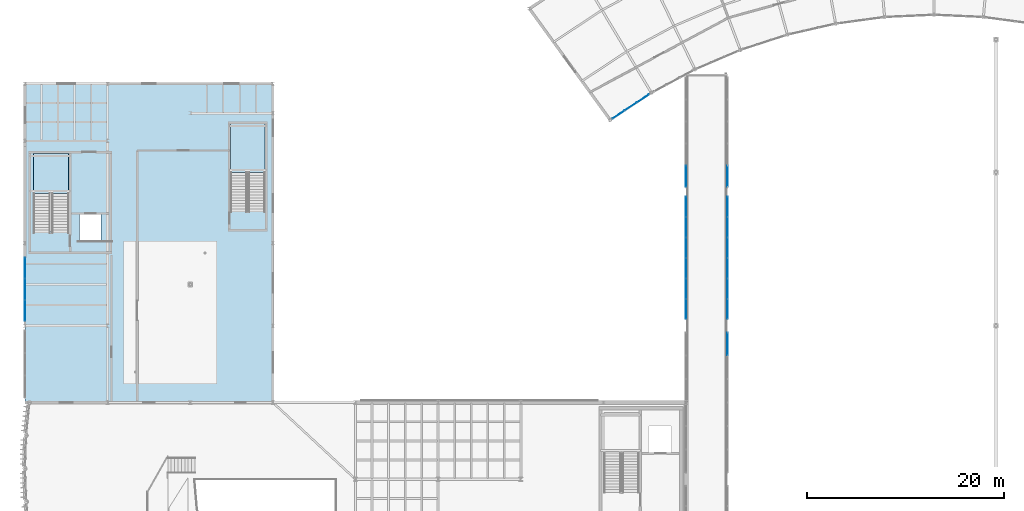
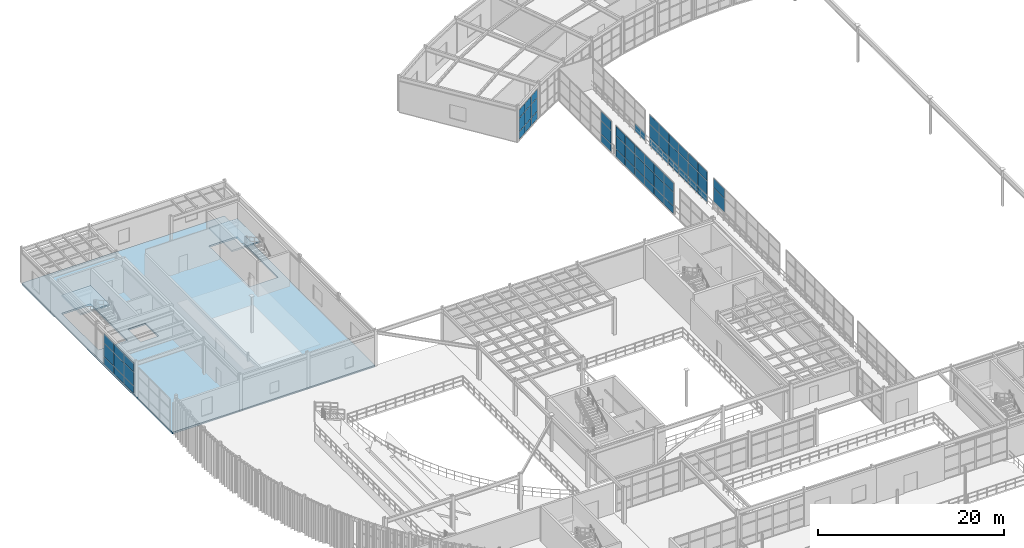
# One storey, part 87 of 116: 60 plates, 3 slabs, 9 elements without a shape of their own.
"""IFC4 building model written with IfcOpenShell, lengths in metres."""

import ifcopenshell
import ifcopenshell.guid

model = None  # the IFC model being written
_history = None  # IfcOwnerHistory: only IFC2X3 demands one
_inside = {}  # id of a spatial element -> (the spatial element, [elements in it])
_under = {}  # id of a project, library or spatial element -> (it, [spatial elements below it])
_declared = {}  # id of a project -> (the project, [libraries it declares])
_typed = {}  # id of a type object -> (the type object, [elements of that type])
_made_of = {}  # id of a material, layer set ... -> (it, [elements and type objects made of it])


def new_model(schema):
    """Start an empty IFC model of exactly this schema.

    Asked for "IFC4X3", IfcOpenShell would pick the latest addendum, in which some entities
    have other attributes; the version numbers below select the first issue.
    IFC2X3 requires an IfcOwnerHistory on every rooted entity: one is made here for all.
    """
    global model, _history
    if schema == "IFC4X3":
        model = ifcopenshell.file(schema_version=(4, 3, 0, 0))
    else:
        model = ifcopenshell.file(schema=schema)
    _inside.clear()
    _under.clear()
    _declared.clear()
    _typed.clear()
    _made_of.clear()
    _history = None
    if model.schema == "IFC2X3":
        org = make("IfcOrganization", Name="unknown")
        user = make(
            "IfcPersonAndOrganization",
            ThePerson=make("IfcPerson", FamilyName="unknown"),
            TheOrganization=org,
        )
        app = make(
            "IfcApplication",
            ApplicationDeveloper=org,
            Version="unknown",
            ApplicationFullName="unknown",
            ApplicationIdentifier="unknown",
        )
        _history = make(
            "IfcOwnerHistory",
            OwningUser=user,
            OwningApplication=app,
            ChangeAction="ADDED",
            CreationDate=0,
        )
    return model


def make(cls, **values):
    """One entity of the class cls with the attributes given. An attribute that is None is left unset."""
    return model.create_entity(
        cls, **{name: value for name, value in values.items() if value is not None}
    )


def rooted(cls, **values):
    """An entity with a GlobalId (a new one), such as an element, a storey or a relation."""
    return make(cls, GlobalId=ifcopenshell.guid.new(), OwnerHistory=_history, **values)


def si_unit(unit_type, name, prefix=None):
    """IfcSIUnit, for example si_unit("LENGTHUNIT", "METRE", prefix="MILLI")."""
    return make("IfcSIUnit", UnitType=unit_type, Prefix=prefix, Name=name)


def assignment(units):
    """IfcUnitAssignment: the units of a project."""
    return None if units is None else make("IfcUnitAssignment", Units=units)


def point(xyz):
    """IfcCartesianPoint."""
    return None if xyz is None else make("IfcCartesianPoint", Coordinates=xyz)


def direction(xyz):
    """IfcDirection."""
    return None if xyz is None else make("IfcDirection", DirectionRatios=xyz)


def frame(location, z_axis=None, x_axis=None):
    """IfcAxis2Placement3D, a coordinate frame: its origin and axes. An axis left out is left unset."""
    return make(
        "IfcAxis2Placement3D",
        Location=point(location),
        Axis=direction(z_axis),
        RefDirection=direction(x_axis),
    )


def frame_2d(location, x_axis=None):
    """IfcAxis2Placement2D, a coordinate frame in the plane: its origin and x axis."""
    return make(
        "IfcAxis2Placement2D", Location=point(location), RefDirection=direction(x_axis)
    )


def origin():
    """The frame at (0, 0, 0) with its axes left unset."""
    return frame((0.0, 0.0, 0.0))


def origin_2d():
    """The frame at (0, 0) in the plane with its x axis left unset."""
    return frame_2d((0.0, 0.0))


def place(relative_to, where):
    """IfcLocalPlacement: puts the frame where relative to a parent placement (None: the world)."""
    return make(
        "IfcLocalPlacement", PlacementRelTo=relative_to, RelativePlacement=where
    )


def context(
    kind, dimensions, precision=None, world=None, true_north=None, identifier=None
):
    """IfcGeometricRepresentationContext, for example the 3D "Model" context."""
    return make(
        "IfcGeometricRepresentationContext",
        ContextIdentifier=identifier,
        ContextType=kind,
        CoordinateSpaceDimension=dimensions,
        Precision=precision,
        WorldCoordinateSystem=world,
        TrueNorth=true_north,
    )


def subcontext(parent, identifier, kind, view, scale=None):
    """IfcGeometricRepresentationSubContext, for example "Body" below "Model"."""
    return make(
        "IfcGeometricRepresentationSubContext",
        ContextIdentifier=identifier,
        ContextType=kind,
        ParentContext=parent,
        TargetScale=scale,
        TargetView=view,
    )


def project(units=None, contexts=None):
    """IfcProject with its units and contexts."""
    return rooted(
        "IfcProject",
        Name="project",
        RepresentationContexts=contexts,
        UnitsInContext=assignment(units),
    )


def spatial(cls, under=None, at=None, **own):
    """A site, building, storey or space (cls), placed at a placement, below another one or the project."""
    s = rooted(cls, ObjectPlacement=at, **own)
    if under is not None:
        _under.setdefault(under.id(), (under, []))[1].append(s)
    return s


def polyline(points):
    """IfcPolyline through the points."""
    return make("IfcPolyline", Points=[point(p) for p in points])


def profile(cls, at=None, kind="AREA", **sizes):
    """A parametric profile (cls). Its sizes go by their IFC names, for example OverallWidth=200.0."""
    return make(cls, ProfileType=kind, Position=at, **sizes)


def rectangle(**sizes):
    """IfcRectangleProfileDef."""
    return profile("IfcRectangleProfileDef", **sizes)


def outline(outer, holes=None, kind="AREA"):
    """IfcArbitraryClosedProfileDef: a profile drawn as a closed curve; with holes, ...WithVoids."""
    if holes is None:
        return make("IfcArbitraryClosedProfileDef", ProfileType=kind, OuterCurve=outer)
    return make(
        "IfcArbitraryProfileDefWithVoids",
        ProfileType=kind,
        OuterCurve=outer,
        InnerCurves=holes,
    )


def extrude(swept, where, along, depth):
    """IfcExtrudedAreaSolid: the profile swept, set in the frame where, extruded along a direction by depth."""
    return make(
        "IfcExtrudedAreaSolid",
        SweptArea=swept,
        Position=where,
        ExtrudedDirection=direction(along),
        Depth=depth,
    )


def shape(context_of_items, identifier, shape_type, items):
    """IfcShapeRepresentation: the items that make up one representation, for example the "Body"."""
    return make(
        "IfcShapeRepresentation",
        ContextOfItems=context_of_items,
        RepresentationIdentifier=identifier,
        RepresentationType=shape_type,
        Items=items,
    )


def material(Name=None, Category=None):
    """IfcMaterial."""
    return make("IfcMaterial", Name=Name, Category=Category)


def layer(
    of_material, thickness, ventilated=None, Name=None, Category=None, Priority=None
):
    """IfcMaterialLayer: one layer of a wall or slab, of a material (None: an air gap)."""
    return make(
        "IfcMaterialLayer",
        Material=of_material,
        LayerThickness=thickness,
        IsVentilated=ventilated,
        Name=Name,
        Category=Category,
        Priority=Priority,
    )


def layer_set(layers, Name=None):
    """IfcMaterialLayerSet."""
    return make("IfcMaterialLayerSet", MaterialLayers=layers, LayerSetName=Name)


def made_of(thing, what):
    """Note that an element or type object is made of a material, layer set ...; save() writes the relation."""
    if what is not None:
        _made_of.setdefault(what.id(), (what, []))[1].append(thing)
    return thing


def type_object(cls, material=None, **own):
    """A type object (cls), such as IfcWallType, which elements share."""
    return made_of(rooted(cls, **own), material)


def element(
    cls,
    number,
    at=None,
    inside=None,
    cuts=None,
    type_object=None,
    material=None,
    context=None,
    identifier="Body",
    shape_type=None,
    held_by="IfcProductDefinitionShape",
    body=None,
    shapes=None,
    **own,
):
    """One element of the class cls, such as IfcWall. Its Tag is "e" and its number.

    at: its placement. inside: the storey or other place that contains it. cuts: it is an
    opening in that element (IfcRelVoidsElement). A single representation is given by context,
    identifier, shape_type and body (its items); several are given by shapes. held_by: the class
    of the entity that holds the representations. save() writes the other relations.
    """
    e = rooted(cls, Tag="e%d" % number, ObjectPlacement=at, **own)
    if body is not None:
        shapes = [shape(context, identifier, shape_type, body)]
    if shapes is not None:
        e.Representation = make(held_by, Representations=shapes)
    if inside is not None:
        _inside.setdefault(inside.id(), (inside, []))[1].append(e)
    if cuts is not None:
        rooted(
            "IfcRelVoidsElement", RelatingBuildingElement=cuts, RelatedOpeningElement=e
        )
    if type_object is not None:
        _typed.setdefault(type_object.id(), (type_object, []))[1].append(e)
    return made_of(e, material)


def aggregate(whole, parts):
    """IfcRelAggregates: a whole, such as a stair, and the parts it consists of."""
    return rooted("IfcRelAggregates", RelatingObject=whole, RelatedObjects=parts)


def save(model, path):
    """Write the relations noted so far, then the file.

    IfcRelAggregates (storeys below a building ...), IfcRelContainedInSpatialStructure (elements
    in a storey), IfcRelDefinesByType, IfcRelAssociatesMaterial and IfcRelDeclares: one each for
    every whole, place, type object, material and project.
    """
    for whole, parts in _under.values():
        aggregate(whole, parts)
    for where, things in _inside.values():
        rooted(
            "IfcRelContainedInSpatialStructure",
            RelatedElements=things,
            RelatingStructure=where,
        )
    for kind, things in _typed.values():
        rooted("IfcRelDefinesByType", RelatedObjects=things, RelatingType=kind)
    for what, things in _made_of.values():
        rooted("IfcRelAssociatesMaterial", RelatedObjects=things, RelatingMaterial=what)
    for by, libraries in _declared.values():
        rooted("IfcRelDeclares", RelatingContext=by, RelatedDefinitions=libraries)
    model.write(path)


model = new_model("IFC4")

# Units and contexts
model_context = context("Model", 3, precision=1e-05, world=origin(), true_north=direction((0.0, 1.0)))
body_context = subcontext(model_context, "Body", "Model", "MODEL_VIEW")
ifc_project = project(units=[si_unit("LENGTHUNIT", "METRE"), si_unit("AREAUNIT", "SQUARE_METRE"), si_unit("VOLUMEUNIT", "CUBIC_METRE"), si_unit("PLANEANGLEUNIT", "RADIAN"), si_unit("MASSUNIT", "GRAM", prefix="KILO")], contexts=[model_context])

# Site, building, storey
site_placement = place(None, origin())
site = spatial("IfcSite", under=ifc_project, at=site_placement, CompositionType="ELEMENT")
building_placement = place(site_placement, origin())
building = spatial("IfcBuilding", under=site, at=building_placement, Name="Selat Folded Stagehouse", CompositionType="ELEMENT")
storey_placement = place(building_placement, frame((0.0, 0.0, 5.39990234375)))
storey = spatial("IfcBuildingStorey", under=building, at=storey_placement, Name="L01", CompositionType="ELEMENT", Elevation=5.39990234375)

# Curtain wall, plates
ifc_material_1 = material(Name="Aluminium 6063-T6", Category="aluminium")
ifc_layer_1 = layer(ifc_material_1, 0.175048828125)
ifc_layer_set_1 = layer_set([ifc_layer_1], Name="Aluminium 6063-T6")
curtain_wall_type_1 = type_object("IfcCurtainWallType", Name="CW-BRG-GLAZ", PredefinedType="NOTDEFINED", material=ifc_layer_set_1)
curtain_wall_1_placement = place(storey_placement, origin())
curtain_wall_1 = element("IfcCurtainWall", 1, at=curtain_wall_1_placement, inside=storey, type_object=curtain_wall_type_1, Name="L01 curtain wall CW-BRG-05", PredefinedType="NOTDEFINED")
ifc_material_2 = material(Name="Clear laminated double glazing", Category="glass")
ifc_layer_2 = layer(ifc_material_2, 0.028076171875)
ifc_layer_set_2 = layer_set([ifc_layer_2], Name="Clear laminated double glazing")
plate_type_1 = type_object("IfcPlateType", Name="CWP-GLZ-DGU28", PredefinedType="CURTAIN_PANEL", material=ifc_layer_set_2)
plate_1_placement = place(storey_placement, frame((67.199951171875, 77.5849609375, 0.06494140625), z_axis=(0.0, 0.0, 1.0), x_axis=(0.0, 1.0, 0.0)))
plate_1 = element("IfcPlate", 2, at=plate_1_placement, type_object=plate_type_1, Name="CW-07 panel 1.1", PredefinedType="CURTAIN_PANEL", context=body_context, shape_type="SweptSolid", body=[
    extrude(rectangle(XDim=2.14990234375, YDim=0.028076171875, at=origin_2d()), origin(), (0.0, 0.0, 1.0), 0.952392578125),
])
plate_2_placement = place(storey_placement, frame((67.199951171875, 77.5849609375, 1.08251953125), z_axis=(0.0, 0.0, 1.0), x_axis=(0.0, 1.0, 0.0)))
plate_2 = element("IfcPlate", 3, at=plate_2_placement, type_object=plate_type_1, Name="CW-07 panel 1.2", PredefinedType="CURTAIN_PANEL", context=body_context, shape_type="SweptSolid", body=[
    extrude(rectangle(XDim=2.14990234375, YDim=0.028076171875, at=origin_2d()), origin(), (0.0, 0.0, 1.0), 1.735107421875),
])
plate_3_placement = place(storey_placement, frame((67.199951171875, 77.5849609375, 2.8828125), z_axis=(0.0, 0.0, 1.0), x_axis=(0.0, 1.0, 0.0)))
plate_3 = element("IfcPlate", 4, at=plate_3_placement, type_object=plate_type_1, Name="CW-07 panel 1.3", PredefinedType="CURTAIN_PANEL", context=body_context, shape_type="SweptSolid", body=[
    extrude(rectangle(XDim=2.14990234375, YDim=0.028076171875, at=origin_2d()), origin(), (0.0, 0.0, 1.0), 1.202392578125),
])
aggregate(curtain_wall_1, [plate_1, plate_2, plate_3])

curtain_wall_2_placement = place(storey_placement, origin())
curtain_wall_2 = element("IfcCurtainWall", 5, at=curtain_wall_2_placement, inside=storey, type_object=curtain_wall_type_1, Name="L01 curtain wall CW-BRG-09", PredefinedType="NOTDEFINED")
plate_4_placement = place(storey_placement, frame((71.39990234375, 74.493408203125, 0.06494140625), z_axis=(0.0, 0.0, 1.0), x_axis=(0.0, -1.0, 0.0)))
plate_4 = element("IfcPlate", 6, at=plate_4_placement, type_object=plate_type_1, Name="CW-07 panel 1.1", PredefinedType="CURTAIN_PANEL", context=body_context, shape_type="SweptSolid", body=[
    extrude(rectangle(XDim=1.993408203125, YDim=0.028076171875, at=origin_2d()), origin(), (0.0, 0.0, 1.0), 0.952392578125),
])
plate_5_placement = place(storey_placement, frame((71.39990234375, 74.493408203125, 1.08251953125), z_axis=(0.0, 0.0, 1.0), x_axis=(0.0, -1.0, 0.0)))
plate_5 = element("IfcPlate", 7, at=plate_5_placement, type_object=plate_type_1, Name="CW-07 panel 1.2", PredefinedType="CURTAIN_PANEL", context=body_context, shape_type="SweptSolid", body=[
    extrude(rectangle(XDim=1.993408203125, YDim=0.028076171875, at=origin_2d()), origin(), (0.0, 0.0, 1.0), 1.735107421875),
])
plate_6_placement = place(storey_placement, frame((71.39990234375, 74.493408203125, 2.8828125), z_axis=(0.0, 0.0, 1.0), x_axis=(0.0, -1.0, 0.0)))
plate_6 = element("IfcPlate", 8, at=plate_6_placement, type_object=plate_type_1, Name="CW-07 panel 1.3", PredefinedType="CURTAIN_PANEL", context=body_context, shape_type="SweptSolid", body=[
    extrude(rectangle(XDim=1.993408203125, YDim=0.028076171875, at=origin_2d()), origin(), (0.0, 0.0, 1.0), 1.202392578125),
])
plate_7_placement = place(storey_placement, frame((71.39990234375, 72.425048828125, 0.06494140625), z_axis=(0.0, 0.0, 1.0), x_axis=(0.0, -1.0, 0.0)))
plate_7 = element("IfcPlate", 9, at=plate_7_placement, type_object=plate_type_1, Name="CW-07 panel 2.1", PredefinedType="CURTAIN_PANEL", context=body_context, shape_type="SweptSolid", body=[
    extrude(rectangle(XDim=2.0234375, YDim=0.028076171875, at=origin_2d()), origin(), (0.0, 0.0, 1.0), 0.952392578125),
])
plate_8_placement = place(storey_placement, frame((71.39990234375, 72.425048828125, 1.08251953125), z_axis=(0.0, 0.0, 1.0), x_axis=(0.0, -1.0, 0.0)))
plate_8 = element("IfcPlate", 10, at=plate_8_placement, type_object=plate_type_1, Name="CW-07 panel 2.2", PredefinedType="CURTAIN_PANEL", context=body_context, shape_type="SweptSolid", body=[
    extrude(rectangle(XDim=2.0234375, YDim=0.028076171875, at=origin_2d()), origin(), (0.0, 0.0, 1.0), 1.735107421875),
])
plate_9_placement = place(storey_placement, frame((71.39990234375, 72.425048828125, 2.8828125), z_axis=(0.0, 0.0, 1.0), x_axis=(0.0, -1.0, 0.0)))
plate_9 = element("IfcPlate", 11, at=plate_9_placement, type_object=plate_type_1, Name="CW-07 panel 2.3", PredefinedType="CURTAIN_PANEL", context=body_context, shape_type="SweptSolid", body=[
    extrude(rectangle(XDim=2.0234375, YDim=0.028076171875, at=origin_2d()), origin(), (0.0, 0.0, 1.0), 1.202392578125),
])
plate_10_placement = place(storey_placement, frame((71.39990234375, 70.341552734375, 0.06494140625), z_axis=(0.0, 0.0, 1.0), x_axis=(0.0, -1.0, 0.0)))
plate_10 = element("IfcPlate", 12, at=plate_10_placement, type_object=plate_type_1, Name="CW-07 panel 3.1", PredefinedType="CURTAIN_PANEL", context=body_context, shape_type="SweptSolid", body=[
    extrude(rectangle(XDim=2.0234375, YDim=0.028076171875, at=origin_2d()), origin(), (0.0, 0.0, 1.0), 0.952392578125),
])
plate_11_placement = place(storey_placement, frame((71.39990234375, 70.341552734375, 1.08251953125), z_axis=(0.0, 0.0, 1.0), x_axis=(0.0, -1.0, 0.0)))
plate_11 = element("IfcPlate", 13, at=plate_11_placement, type_object=plate_type_1, Name="CW-07 panel 3.2", PredefinedType="CURTAIN_PANEL", context=body_context, shape_type="SweptSolid", body=[
    extrude(rectangle(XDim=2.0234375, YDim=0.028076171875, at=origin_2d()), origin(), (0.0, 0.0, 1.0), 1.735107421875),
])
plate_12_placement = place(storey_placement, frame((71.39990234375, 70.341552734375, 2.8828125), z_axis=(0.0, 0.0, 1.0), x_axis=(0.0, -1.0, 0.0)))
plate_12 = element("IfcPlate", 14, at=plate_12_placement, type_object=plate_type_1, Name="CW-07 panel 3.3", PredefinedType="CURTAIN_PANEL", context=body_context, shape_type="SweptSolid", body=[
    extrude(rectangle(XDim=2.0234375, YDim=0.028076171875, at=origin_2d()), origin(), (0.0, 0.0, 1.0), 1.202392578125),
])
plate_13_placement = place(storey_placement, frame((71.39990234375, 68.25830078125, 0.06494140625), z_axis=(0.0, 0.0, 1.0), x_axis=(0.0, -1.0, 0.0)))
plate_13 = element("IfcPlate", 15, at=plate_13_placement, type_object=plate_type_1, Name="CW-07 panel 4.1", PredefinedType="CURTAIN_PANEL", context=body_context, shape_type="SweptSolid", body=[
    extrude(rectangle(XDim=2.0234375, YDim=0.028076171875, at=origin_2d()), origin(), (0.0, 0.0, 1.0), 0.952392578125),
])
plate_14_placement = place(storey_placement, frame((71.39990234375, 68.25830078125, 1.08251953125), z_axis=(0.0, 0.0, 1.0), x_axis=(0.0, -1.0, 0.0)))
plate_14 = element("IfcPlate", 16, at=plate_14_placement, type_object=plate_type_1, Name="CW-07 panel 4.2", PredefinedType="CURTAIN_PANEL", context=body_context, shape_type="SweptSolid", body=[
    extrude(rectangle(XDim=2.0234375, YDim=0.028076171875, at=origin_2d()), origin(), (0.0, 0.0, 1.0), 1.735107421875),
])
plate_15_placement = place(storey_placement, frame((71.39990234375, 68.25830078125, 2.8828125), z_axis=(0.0, 0.0, 1.0), x_axis=(0.0, -1.0, 0.0)))
plate_15 = element("IfcPlate", 17, at=plate_15_placement, type_object=plate_type_1, Name="CW-07 panel 4.3", PredefinedType="CURTAIN_PANEL", context=body_context, shape_type="SweptSolid", body=[
    extrude(rectangle(XDim=2.0234375, YDim=0.028076171875, at=origin_2d()), origin(), (0.0, 0.0, 1.0), 1.202392578125),
])
plate_16_placement = place(storey_placement, frame((71.39990234375, 66.175048828125, 0.06494140625), z_axis=(0.0, 0.0, 1.0), x_axis=(0.0, -1.0, 0.0)))
plate_16 = element("IfcPlate", 18, at=plate_16_placement, type_object=plate_type_1, Name="CW-07 panel 5.1", PredefinedType="CURTAIN_PANEL", context=body_context, shape_type="SweptSolid", body=[
    extrude(rectangle(XDim=2.0234375, YDim=0.028076171875, at=origin_2d()), origin(), (0.0, 0.0, 1.0), 0.952392578125),
])
plate_17_placement = place(storey_placement, frame((71.39990234375, 66.175048828125, 1.08251953125), z_axis=(0.0, 0.0, 1.0), x_axis=(0.0, -1.0, 0.0)))
plate_17 = element("IfcPlate", 19, at=plate_17_placement, type_object=plate_type_1, Name="CW-07 panel 5.2", PredefinedType="CURTAIN_PANEL", context=body_context, shape_type="SweptSolid", body=[
    extrude(rectangle(XDim=2.0234375, YDim=0.028076171875, at=origin_2d()), origin(), (0.0, 0.0, 1.0), 1.735107421875),
])
plate_18_placement = place(storey_placement, frame((71.39990234375, 66.175048828125, 2.8828125), z_axis=(0.0, 0.0, 1.0), x_axis=(0.0, -1.0, 0.0)))
plate_18 = element("IfcPlate", 20, at=plate_18_placement, type_object=plate_type_1, Name="CW-07 panel 5.3", PredefinedType="CURTAIN_PANEL", context=body_context, shape_type="SweptSolid", body=[
    extrude(rectangle(XDim=2.0234375, YDim=0.028076171875, at=origin_2d()), origin(), (0.0, 0.0, 1.0), 1.202392578125),
])
plate_19_placement = place(storey_placement, frame((71.39990234375, 64.106689453125, 0.06494140625), z_axis=(0.0, 0.0, 1.0), x_axis=(0.0, -1.0, 0.0)))
plate_19 = element("IfcPlate", 21, at=plate_19_placement, type_object=plate_type_1, Name="CW-07 panel 6.1", PredefinedType="CURTAIN_PANEL", context=body_context, shape_type="SweptSolid", body=[
    extrude(rectangle(XDim=1.993408203125, YDim=0.028076171875, at=origin_2d()), origin(), (0.0, 0.0, 1.0), 0.952392578125),
])
plate_20_placement = place(storey_placement, frame((71.39990234375, 64.106689453125, 1.08251953125), z_axis=(0.0, 0.0, 1.0), x_axis=(0.0, -1.0, 0.0)))
plate_20 = element("IfcPlate", 22, at=plate_20_placement, type_object=plate_type_1, Name="CW-07 panel 6.2", PredefinedType="CURTAIN_PANEL", context=body_context, shape_type="SweptSolid", body=[
    extrude(rectangle(XDim=1.993408203125, YDim=0.028076171875, at=origin_2d()), origin(), (0.0, 0.0, 1.0), 1.735107421875),
])
plate_21_placement = place(storey_placement, frame((71.39990234375, 64.106689453125, 2.8828125), z_axis=(0.0, 0.0, 1.0), x_axis=(0.0, -1.0, 0.0)))
plate_21 = element("IfcPlate", 23, at=plate_21_placement, type_object=plate_type_1, Name="CW-07 panel 6.3", PredefinedType="CURTAIN_PANEL", context=body_context, shape_type="SweptSolid", body=[
    extrude(rectangle(XDim=1.993408203125, YDim=0.028076171875, at=origin_2d()), origin(), (0.0, 0.0, 1.0), 1.202392578125),
])
aggregate(curtain_wall_2, [plate_4, plate_5, plate_6, plate_7, plate_8, plate_9, plate_10, plate_11, plate_12, plate_13, plate_14, plate_15, plate_16, plate_17, plate_18, plate_19, plate_20, plate_21])

# Curtain wall, plate
curtain_wall_3_placement = place(storey_placement, origin())
curtain_wall_3 = element("IfcCurtainWall", 24, at=curtain_wall_3_placement, inside=storey, type_object=curtain_wall_type_1, Name="L01 curtain wall CW-BRG-10", PredefinedType="NOTDEFINED")
plate_22_placement = place(storey_placement, frame((71.39990234375, 77.5849609375, 0.06494140625), z_axis=(0.0, 0.0, 1.0), x_axis=(0.0, -1.0, 0.0)))
plate_22 = element("IfcPlate", 25, at=plate_22_placement, type_object=plate_type_1, Name="CW-07 panel 5.1", PredefinedType="CURTAIN_PANEL", context=body_context, shape_type="SweptSolid", body=[
    extrude(rectangle(XDim=2.14990234375, YDim=0.028076171875, at=origin_2d()), origin(), (0.0, 0.0, 1.0), 0.952392578125),
])
aggregate(curtain_wall_3, [plate_22])

# Curtain wall, plates
ifc_layer_3 = layer(ifc_material_1, 0.179931640625)
ifc_layer_set_3 = layer_set([ifc_layer_3], Name="Aluminium 6063-T6")
curtain_wall_type_2 = type_object("IfcCurtainWallType", Name="CW-BBX-FOYER", PredefinedType="NOTDEFINED", material=ifc_layer_set_3)
curtain_wall_4_placement = place(storey_placement, origin())
curtain_wall_4 = element("IfcCurtainWall", 26, at=curtain_wall_4_placement, inside=storey, type_object=curtain_wall_type_2, Name="L01 curtain wall CW-BRG-22", PredefinedType="NOTDEFINED")
plate_23_placement = place(storey_placement, frame((0.0, 63.9482421875, 0.06494140625), z_axis=(0.0, 0.0, 1.0), x_axis=(0.0, 1.0, 0.0)))
plate_23 = element("IfcPlate", 27, at=plate_23_placement, type_object=plate_type_1, Name="CW-08 panel 1.1", PredefinedType="CURTAIN_PANEL", context=body_context, shape_type="SweptSolid", body=[
    extrude(rectangle(XDim=2.07666015625, YDim=0.028076171875, at=origin_2d()), origin(), (0.0, 0.0, 1.0), 0.952392578125),
])
plate_24_placement = place(storey_placement, frame((0.0, 63.9482421875, 1.08251953125), z_axis=(0.0, 0.0, 1.0), x_axis=(0.0, 1.0, 0.0)))
plate_24 = element("IfcPlate", 28, at=plate_24_placement, type_object=plate_type_1, Name="CW-08 panel 1.2", PredefinedType="CURTAIN_PANEL", context=body_context, shape_type="SweptSolid", body=[
    extrude(rectangle(XDim=2.07666015625, YDim=0.028076171875, at=origin_2d()), origin(), (0.0, 0.0, 1.0), 1.735107421875),
])
plate_25_placement = place(storey_placement, frame((0.0, 63.9482421875, 2.8828125), z_axis=(0.0, 0.0, 1.0), x_axis=(0.0, 1.0, 0.0)))
plate_25 = element("IfcPlate", 29, at=plate_25_placement, type_object=plate_type_1, Name="CW-08 panel 1.3", PredefinedType="CURTAIN_PANEL", context=body_context, shape_type="SweptSolid", body=[
    extrude(rectangle(XDim=2.07666015625, YDim=0.028076171875, at=origin_2d()), origin(), (0.0, 0.0, 1.0), 1.202392578125),
])
plate_26_placement = place(storey_placement, frame((0.0, 66.10009765625, 0.06494140625), z_axis=(0.0, 0.0, 1.0), x_axis=(0.0, 1.0, 0.0)))
plate_26 = element("IfcPlate", 30, at=plate_26_placement, type_object=plate_type_1, Name="CW-08 panel 2.1", PredefinedType="CURTAIN_PANEL", context=body_context, shape_type="SweptSolid", body=[
    extrude(rectangle(XDim=2.106689453125, YDim=0.028076171875, at=origin_2d()), origin(), (0.0, 0.0, 1.0), 0.952392578125),
])
plate_27_placement = place(storey_placement, frame((0.0, 66.10009765625, 1.08251953125), z_axis=(0.0, 0.0, 1.0), x_axis=(0.0, 1.0, 0.0)))
plate_27 = element("IfcPlate", 31, at=plate_27_placement, type_object=plate_type_1, Name="CW-08 panel 2.2", PredefinedType="CURTAIN_PANEL", context=body_context, shape_type="SweptSolid", body=[
    extrude(rectangle(XDim=2.106689453125, YDim=0.028076171875, at=origin_2d()), origin(), (0.0, 0.0, 1.0), 1.735107421875),
])
plate_28_placement = place(storey_placement, frame((0.0, 66.10009765625, 2.8828125), z_axis=(0.0, 0.0, 1.0), x_axis=(0.0, 1.0, 0.0)))
plate_28 = element("IfcPlate", 32, at=plate_28_placement, type_object=plate_type_1, Name="CW-08 panel 2.3", PredefinedType="CURTAIN_PANEL", context=body_context, shape_type="SweptSolid", body=[
    extrude(rectangle(XDim=2.106689453125, YDim=0.028076171875, at=origin_2d()), origin(), (0.0, 0.0, 1.0), 1.202392578125),
])
plate_29_placement = place(storey_placement, frame((0.0, 68.251708984375, 0.06494140625), z_axis=(0.0, 0.0, 1.0), x_axis=(0.0, 1.0, 0.0)))
plate_29 = element("IfcPlate", 33, at=plate_29_placement, type_object=plate_type_1, Name="CW-08 panel 3.1", PredefinedType="CURTAIN_PANEL", context=body_context, shape_type="SweptSolid", body=[
    extrude(rectangle(XDim=2.07666015625, YDim=0.028076171875, at=origin_2d()), origin(), (0.0, 0.0, 1.0), 0.952392578125),
])
plate_30_placement = place(storey_placement, frame((0.0, 68.251708984375, 1.08251953125), z_axis=(0.0, 0.0, 1.0), x_axis=(0.0, 1.0, 0.0)))
plate_30 = element("IfcPlate", 34, at=plate_30_placement, type_object=plate_type_1, Name="CW-08 panel 3.2", PredefinedType="CURTAIN_PANEL", context=body_context, shape_type="SweptSolid", body=[
    extrude(rectangle(XDim=2.07666015625, YDim=0.028076171875, at=origin_2d()), origin(), (0.0, 0.0, 1.0), 1.735107421875),
])
plate_31_placement = place(storey_placement, frame((0.0, 68.251708984375, 2.8828125), z_axis=(0.0, 0.0, 1.0), x_axis=(0.0, 1.0, 0.0)))
plate_31 = element("IfcPlate", 35, at=plate_31_placement, type_object=plate_type_1, Name="CW-08 panel 3.3", PredefinedType="CURTAIN_PANEL", context=body_context, shape_type="SweptSolid", body=[
    extrude(rectangle(XDim=2.07666015625, YDim=0.028076171875, at=origin_2d()), origin(), (0.0, 0.0, 1.0), 1.202392578125),
])
aggregate(curtain_wall_4, [plate_23, plate_24, plate_25, plate_26, plate_27, plate_28, plate_29, plate_30, plate_31])

ifc_layer_4 = layer(ifc_material_1, 0.18994140625)
ifc_layer_set_4 = layer_set([ifc_layer_4], Name="Aluminium 6063-T6")
curtain_wall_type_3 = type_object("IfcCurtainWallType", Name="CW-REH-ARC", PredefinedType="NOTDEFINED", material=ifc_layer_set_4)
curtain_wall_5_placement = place(storey_placement, origin())
curtain_wall_5 = element("IfcCurtainWall", 36, at=curtain_wall_5_placement, inside=storey, type_object=curtain_wall_type_3, Name="L01 curtain wall CW-REH-L01-00", PredefinedType="NOTDEFINED")
ifc_material_3 = material(Name="Laminated low-E double glazing", Category="glass")
ifc_layer_5 = layer(ifc_material_3, 0.031982421875)
ifc_layer_set_5 = layer_set([ifc_layer_5], Name="Laminated low-E double glazing")
plate_type_2 = type_object("IfcPlateType", Name="CWP-GLZ-DGU32", PredefinedType="CURTAIN_PANEL", material=ifc_layer_set_5)
plate_32_placement = place(storey_placement, frame((62.8271484375, 85.51171875, 0.06494140625), z_axis=(0.0, 0.0, 1.0), x_axis=(-0.834581363399, -0.550884695619, 0.0)))
plate_32 = element("IfcPlate", 37, at=plate_32_placement, type_object=plate_type_2, Name="CW-06 panel 1.1", PredefinedType="CURTAIN_PANEL", context=body_context, shape_type="SweptSolid", body=[
    extrude(rectangle(XDim=1.418212890625, YDim=0.031982421875, at=origin_2d()), origin(), (0.0, 0.0, 1.0), 0.952392578125),
])
plate_33_placement = place(storey_placement, frame((62.8271484375, 85.51171875, 1.08251953125), z_axis=(0.0, 0.0, 1.0), x_axis=(-0.834581363399, -0.550884695619, 0.0)))
plate_33 = element("IfcPlate", 38, at=plate_33_placement, type_object=plate_type_2, Name="CW-06 panel 1.2", PredefinedType="CURTAIN_PANEL", context=body_context, shape_type="SweptSolid", body=[
    extrude(rectangle(XDim=1.418212890625, YDim=0.031982421875, at=origin_2d()), origin(), (0.0, 0.0, 1.0), 1.735107421875),
])
plate_34_placement = place(storey_placement, frame((62.8271484375, 85.51171875, 2.8828125), z_axis=(0.0, 0.0, 1.0), x_axis=(-0.834581363399, -0.550884695619, 0.0)))
plate_34 = element("IfcPlate", 39, at=plate_34_placement, type_object=plate_type_2, Name="CW-06 panel 1.3", PredefinedType="CURTAIN_PANEL", context=body_context, shape_type="SweptSolid", body=[
    extrude(rectangle(XDim=1.418212890625, YDim=0.031982421875, at=origin_2d()), origin(), (0.0, 0.0, 1.0), 1.052490234375),
])
plate_35_placement = place(storey_placement, frame((61.580810546875, 84.68896484375, 0.06494140625), z_axis=(0.0, 0.0, 1.0), x_axis=(-0.834581363399, -0.550884695619, 0.0)))
plate_35 = element("IfcPlate", 40, at=plate_35_placement, type_object=plate_type_2, Name="CW-06 panel 2.1", PredefinedType="CURTAIN_PANEL", context=body_context, shape_type="SweptSolid", body=[
    extrude(rectangle(XDim=1.4482421875, YDim=0.031982421875, at=origin_2d()), origin(), (0.0, 0.0, 1.0), 0.952392578125),
])
plate_36_placement = place(storey_placement, frame((61.580810546875, 84.68896484375, 1.08251953125), z_axis=(0.0, 0.0, 1.0), x_axis=(-0.834581363399, -0.550884695619, 0.0)))
plate_36 = element("IfcPlate", 41, at=plate_36_placement, type_object=plate_type_2, Name="CW-06 panel 2.2", PredefinedType="CURTAIN_PANEL", context=body_context, shape_type="SweptSolid", body=[
    extrude(rectangle(XDim=1.4482421875, YDim=0.031982421875, at=origin_2d()), origin(), (0.0, 0.0, 1.0), 1.735107421875),
])
plate_37_placement = place(storey_placement, frame((61.580810546875, 84.68896484375, 2.8828125), z_axis=(0.0, 0.0, 1.0), x_axis=(-0.834581363399, -0.550884695619, 0.0)))
plate_37 = element("IfcPlate", 42, at=plate_37_placement, type_object=plate_type_2, Name="CW-06 panel 2.3", PredefinedType="CURTAIN_PANEL", context=body_context, shape_type="SweptSolid", body=[
    extrude(rectangle(XDim=1.4482421875, YDim=0.031982421875, at=origin_2d()), origin(), (0.0, 0.0, 1.0), 1.052490234375),
])
plate_38_placement = place(storey_placement, frame((60.33447265625, 83.866455078125, 0.06494140625), z_axis=(0.0, 0.0, 1.0), x_axis=(-0.834581363399, -0.550884695619, 0.0)))
plate_38 = element("IfcPlate", 43, at=plate_38_placement, type_object=plate_type_2, Name="CW-06 panel 3.1", PredefinedType="CURTAIN_PANEL", context=body_context, shape_type="SweptSolid", body=[
    extrude(rectangle(XDim=1.418212890625, YDim=0.031982421875, at=origin_2d()), origin(), (0.0, 0.0, 1.0), 0.952392578125),
])
plate_39_placement = place(storey_placement, frame((60.33447265625, 83.866455078125, 1.08251953125), z_axis=(0.0, 0.0, 1.0), x_axis=(-0.834581363399, -0.550884695619, 0.0)))
plate_39 = element("IfcPlate", 44, at=plate_39_placement, type_object=plate_type_2, Name="CW-06 panel 3.2", PredefinedType="CURTAIN_PANEL", context=body_context, shape_type="SweptSolid", body=[
    extrude(rectangle(XDim=1.418212890625, YDim=0.031982421875, at=origin_2d()), origin(), (0.0, 0.0, 1.0), 1.735107421875),
])
plate_40_placement = place(storey_placement, frame((60.33447265625, 83.866455078125, 2.8828125), z_axis=(0.0, 0.0, 1.0), x_axis=(-0.834581363399, -0.550884695619, 0.0)))
plate_40 = element("IfcPlate", 45, at=plate_40_placement, type_object=plate_type_2, Name="CW-06 panel 3.3", PredefinedType="CURTAIN_PANEL", context=body_context, shape_type="SweptSolid", body=[
    extrude(rectangle(XDim=1.418212890625, YDim=0.031982421875, at=origin_2d()), origin(), (0.0, 0.0, 1.0), 1.052490234375),
])
aggregate(curtain_wall_5, [plate_32, plate_33, plate_34, plate_35, plate_36, plate_37, plate_38, plate_39, plate_40])

curtain_wall_6_placement = place(storey_placement, origin())
curtain_wall_6 = element("IfcCurtainWall", 46, at=curtain_wall_6_placement, inside=storey, type_object=curtain_wall_type_1, Name="L01 curtain wall CW-BRG-04", PredefinedType="NOTDEFINED")
ifc_material_4 = material(Name="Acoustic insulated spandrel cassette", Category="aluminium")
ifc_layer_6 = layer(ifc_material_4, 0.055908203125)
ifc_layer_set_6 = layer_set([ifc_layer_6], Name="Acoustic insulated spandrel cassette")
plate_type_3 = type_object("IfcPlateType", Name="CWP-SPD-ALU56", PredefinedType="CURTAIN_PANEL", material=ifc_layer_set_6)
plate_41_placement = place(storey_placement, frame((67.199951171875, 64.106689453125, 0.06494140625), z_axis=(0.0, 0.0, 1.0), x_axis=(0.0, 1.0, 0.0)))
plate_41 = element("IfcPlate", 47, at=plate_41_placement, type_object=plate_type_3, Name="CW-07 panel 1.1", PredefinedType="CURTAIN_PANEL", context=body_context, shape_type="SweptSolid", body=[
    extrude(rectangle(XDim=1.993408203125, YDim=0.055908203125, at=origin_2d()), origin(), (0.0, 0.0, 1.0), 0.952392578125),
])
plate_42_placement = place(storey_placement, frame((67.199951171875, 64.106689453125, 1.08251953125), z_axis=(0.0, 0.0, 1.0), x_axis=(0.0, 1.0, 0.0)))
plate_42 = element("IfcPlate", 48, at=plate_42_placement, type_object=plate_type_3, Name="CW-07 panel 1.2", PredefinedType="CURTAIN_PANEL", context=body_context, shape_type="SweptSolid", body=[
    extrude(rectangle(XDim=1.993408203125, YDim=0.055908203125, at=origin_2d()), origin(), (0.0, 0.0, 1.0), 1.735107421875),
])
plate_43_placement = place(storey_placement, frame((67.199951171875, 64.106689453125, 2.8828125), z_axis=(0.0, 0.0, 1.0), x_axis=(0.0, 1.0, 0.0)))
plate_43 = element("IfcPlate", 49, at=plate_43_placement, type_object=plate_type_3, Name="CW-07 panel 1.3", PredefinedType="CURTAIN_PANEL", context=body_context, shape_type="SweptSolid", body=[
    extrude(rectangle(XDim=1.993408203125, YDim=0.055908203125, at=origin_2d()), origin(), (0.0, 0.0, 1.0), 1.202392578125),
])
plate_44_placement = place(storey_placement, frame((67.199951171875, 66.175048828125, 0.06494140625), z_axis=(0.0, 0.0, 1.0), x_axis=(0.0, 1.0, 0.0)))
plate_44 = element("IfcPlate", 50, at=plate_44_placement, type_object=plate_type_3, Name="CW-07 panel 2.1", PredefinedType="CURTAIN_PANEL", context=body_context, shape_type="SweptSolid", body=[
    extrude(rectangle(XDim=2.0234375, YDim=0.055908203125, at=origin_2d()), origin(), (0.0, 0.0, 1.0), 0.952392578125),
])
plate_45_placement = place(storey_placement, frame((67.199951171875, 66.175048828125, 1.08251953125), z_axis=(0.0, 0.0, 1.0), x_axis=(0.0, 1.0, 0.0)))
plate_45 = element("IfcPlate", 51, at=plate_45_placement, type_object=plate_type_3, Name="CW-07 panel 2.2", PredefinedType="CURTAIN_PANEL", context=body_context, shape_type="SweptSolid", body=[
    extrude(rectangle(XDim=2.0234375, YDim=0.055908203125, at=origin_2d()), origin(), (0.0, 0.0, 1.0), 1.735107421875),
])
plate_46_placement = place(storey_placement, frame((67.199951171875, 66.175048828125, 2.8828125), z_axis=(0.0, 0.0, 1.0), x_axis=(0.0, 1.0, 0.0)))
plate_46 = element("IfcPlate", 52, at=plate_46_placement, type_object=plate_type_3, Name="CW-07 panel 2.3", PredefinedType="CURTAIN_PANEL", context=body_context, shape_type="SweptSolid", body=[
    extrude(rectangle(XDim=2.0234375, YDim=0.055908203125, at=origin_2d()), origin(), (0.0, 0.0, 1.0), 1.202392578125),
])
plate_47_placement = place(storey_placement, frame((67.199951171875, 68.25830078125, 0.06494140625), z_axis=(0.0, 0.0, 1.0), x_axis=(0.0, 1.0, 0.0)))
plate_47 = element("IfcPlate", 53, at=plate_47_placement, type_object=plate_type_3, Name="CW-07 panel 3.1", PredefinedType="CURTAIN_PANEL", context=body_context, shape_type="SweptSolid", body=[
    extrude(rectangle(XDim=2.0234375, YDim=0.055908203125, at=origin_2d()), origin(), (0.0, 0.0, 1.0), 0.952392578125),
])
plate_48_placement = place(storey_placement, frame((67.199951171875, 68.25830078125, 1.08251953125), z_axis=(0.0, 0.0, 1.0), x_axis=(0.0, 1.0, 0.0)))
plate_48 = element("IfcPlate", 54, at=plate_48_placement, type_object=plate_type_3, Name="CW-07 panel 3.2", PredefinedType="CURTAIN_PANEL", context=body_context, shape_type="SweptSolid", body=[
    extrude(rectangle(XDim=2.0234375, YDim=0.055908203125, at=origin_2d()), origin(), (0.0, 0.0, 1.0), 1.735107421875),
])
plate_49_placement = place(storey_placement, frame((67.199951171875, 68.25830078125, 2.8828125), z_axis=(0.0, 0.0, 1.0), x_axis=(0.0, 1.0, 0.0)))
plate_49 = element("IfcPlate", 55, at=plate_49_placement, type_object=plate_type_3, Name="CW-07 panel 3.3", PredefinedType="CURTAIN_PANEL", context=body_context, shape_type="SweptSolid", body=[
    extrude(rectangle(XDim=2.0234375, YDim=0.055908203125, at=origin_2d()), origin(), (0.0, 0.0, 1.0), 1.202392578125),
])
plate_50_placement = place(storey_placement, frame((67.199951171875, 70.341552734375, 0.06494140625), z_axis=(0.0, 0.0, 1.0), x_axis=(0.0, 1.0, 0.0)))
plate_50 = element("IfcPlate", 56, at=plate_50_placement, type_object=plate_type_3, Name="CW-07 panel 4.1", PredefinedType="CURTAIN_PANEL", context=body_context, shape_type="SweptSolid", body=[
    extrude(rectangle(XDim=2.0234375, YDim=0.055908203125, at=origin_2d()), origin(), (0.0, 0.0, 1.0), 0.952392578125),
])
plate_51_placement = place(storey_placement, frame((67.199951171875, 70.341552734375, 1.08251953125), z_axis=(0.0, 0.0, 1.0), x_axis=(0.0, 1.0, 0.0)))
plate_51 = element("IfcPlate", 57, at=plate_51_placement, type_object=plate_type_3, Name="CW-07 panel 4.2", PredefinedType="CURTAIN_PANEL", context=body_context, shape_type="SweptSolid", body=[
    extrude(rectangle(XDim=2.0234375, YDim=0.055908203125, at=origin_2d()), origin(), (0.0, 0.0, 1.0), 1.735107421875),
])
plate_52_placement = place(storey_placement, frame((67.199951171875, 70.341552734375, 2.8828125), z_axis=(0.0, 0.0, 1.0), x_axis=(0.0, 1.0, 0.0)))
plate_52 = element("IfcPlate", 58, at=plate_52_placement, type_object=plate_type_3, Name="CW-07 panel 4.3", PredefinedType="CURTAIN_PANEL", context=body_context, shape_type="SweptSolid", body=[
    extrude(rectangle(XDim=2.0234375, YDim=0.055908203125, at=origin_2d()), origin(), (0.0, 0.0, 1.0), 1.202392578125),
])
plate_53_placement = place(storey_placement, frame((67.199951171875, 72.425048828125, 0.06494140625), z_axis=(0.0, 0.0, 1.0), x_axis=(0.0, 1.0, 0.0)))
plate_53 = element("IfcPlate", 59, at=plate_53_placement, type_object=plate_type_3, Name="CW-07 panel 5.1", PredefinedType="CURTAIN_PANEL", context=body_context, shape_type="SweptSolid", body=[
    extrude(rectangle(XDim=2.0234375, YDim=0.055908203125, at=origin_2d()), origin(), (0.0, 0.0, 1.0), 0.952392578125),
])
plate_54_placement = place(storey_placement, frame((67.199951171875, 72.425048828125, 1.08251953125), z_axis=(0.0, 0.0, 1.0), x_axis=(0.0, 1.0, 0.0)))
plate_54 = element("IfcPlate", 60, at=plate_54_placement, type_object=plate_type_3, Name="CW-07 panel 5.2", PredefinedType="CURTAIN_PANEL", context=body_context, shape_type="SweptSolid", body=[
    extrude(rectangle(XDim=2.0234375, YDim=0.055908203125, at=origin_2d()), origin(), (0.0, 0.0, 1.0), 1.735107421875),
])
plate_55_placement = place(storey_placement, frame((67.199951171875, 72.425048828125, 2.8828125), z_axis=(0.0, 0.0, 1.0), x_axis=(0.0, 1.0, 0.0)))
plate_55 = element("IfcPlate", 61, at=plate_55_placement, type_object=plate_type_3, Name="CW-07 panel 5.3", PredefinedType="CURTAIN_PANEL", context=body_context, shape_type="SweptSolid", body=[
    extrude(rectangle(XDim=2.0234375, YDim=0.055908203125, at=origin_2d()), origin(), (0.0, 0.0, 1.0), 1.202392578125),
])
plate_56_placement = place(storey_placement, frame((67.199951171875, 74.493408203125, 0.06494140625), z_axis=(0.0, 0.0, 1.0), x_axis=(0.0, 1.0, 0.0)))
plate_56 = element("IfcPlate", 62, at=plate_56_placement, type_object=plate_type_3, Name="CW-07 panel 6.1", PredefinedType="CURTAIN_PANEL", context=body_context, shape_type="SweptSolid", body=[
    extrude(rectangle(XDim=1.993408203125, YDim=0.055908203125, at=origin_2d()), origin(), (0.0, 0.0, 1.0), 0.952392578125),
])
plate_57_placement = place(storey_placement, frame((67.199951171875, 74.493408203125, 1.08251953125), z_axis=(0.0, 0.0, 1.0), x_axis=(0.0, 1.0, 0.0)))
plate_57 = element("IfcPlate", 63, at=plate_57_placement, type_object=plate_type_3, Name="CW-07 panel 6.2", PredefinedType="CURTAIN_PANEL", context=body_context, shape_type="SweptSolid", body=[
    extrude(rectangle(XDim=1.993408203125, YDim=0.055908203125, at=origin_2d()), origin(), (0.0, 0.0, 1.0), 1.735107421875),
])
plate_58_placement = place(storey_placement, frame((67.199951171875, 74.493408203125, 2.8828125), z_axis=(0.0, 0.0, 1.0), x_axis=(0.0, 1.0, 0.0)))
plate_58 = element("IfcPlate", 64, at=plate_58_placement, type_object=plate_type_3, Name="CW-07 panel 6.3", PredefinedType="CURTAIN_PANEL", context=body_context, shape_type="SweptSolid", body=[
    extrude(rectangle(XDim=1.993408203125, YDim=0.055908203125, at=origin_2d()), origin(), (0.0, 0.0, 1.0), 1.202392578125),
])
aggregate(curtain_wall_6, [plate_41, plate_42, plate_43, plate_44, plate_45, plate_46, plate_47, plate_48, plate_49, plate_50, plate_51, plate_52, plate_53, plate_54, plate_55, plate_56, plate_57, plate_58])

curtain_wall_7_placement = place(storey_placement, origin())
curtain_wall_7 = element("IfcCurtainWall", 65, at=curtain_wall_7_placement, inside=storey, type_object=curtain_wall_type_1, Name="L01 curtain wall CW-BRG-08", PredefinedType="NOTDEFINED")
plate_59_placement = place(storey_placement, frame((71.39990234375, 60.543212890625, 1.08251953125), z_axis=(0.0, 0.0, 1.0), x_axis=(0.0, -1.0, 0.0)))
plate_59 = element("IfcPlate", 66, at=plate_59_placement, type_object=plate_type_3, Name="CW-07 panel 1.2", PredefinedType="CURTAIN_PANEL", context=body_context, shape_type="SweptSolid", body=[
    extrude(rectangle(XDim=2.293212890625, YDim=0.055908203125, at=origin_2d()), origin(), (0.0, 0.0, 1.0), 1.735107421875),
])
plate_60_placement = place(storey_placement, frame((71.39990234375, 60.543212890625, 2.8828125), z_axis=(0.0, 0.0, 1.0), x_axis=(0.0, -1.0, 0.0)))
plate_60 = element("IfcPlate", 67, at=plate_60_placement, type_object=plate_type_3, Name="CW-07 panel 1.3", PredefinedType="CURTAIN_PANEL", context=body_context, shape_type="SweptSolid", body=[
    extrude(rectangle(XDim=2.293212890625, YDim=0.055908203125, at=origin_2d()), origin(), (0.0, 0.0, 1.0), 1.202392578125),
])
aggregate(curtain_wall_7, [plate_59, plate_60])

# Slab
ifc_material_5 = material(Name="Concrete C40/50", Category="concrete")
ifc_layer_7 = layer(ifc_material_5, 0.22998046875)
ifc_layer_set_7 = layer_set([ifc_layer_7], Name="Concrete C40/50")
slab_type_1 = type_object("IfcSlabType", Name="SLAB-FLR-230-ACOUSTIC", PredefinedType="FLOOR", material=ifc_layer_set_7)
slab_1_placement = place(storey_placement, frame((0.0, 0.0, -0.22998046875)))
element("IfcSlab", 68, at=slab_1_placement, inside=storey, type_object=slab_type_1, Name="L01 V4 floor slab SL-L01-V4", PredefinedType="FLOOR", context=body_context, shape_type="SweptSolid", body=[
    extrude(outline(polyline([(0.0, 54.60009765625), (25.199951171875, 54.60009765625), (25.199951171875, 87.0), (0.0, 87.0), (0.0, 54.60009765625)]), holes=[polyline([(7.75, 71.0), (5.550048828125, 71.0), (5.550048828125, 73.800048828125), (7.75, 73.800048828125), (7.75, 71.0)]), polyline([(0.85009765625, 72.0), (0.85009765625, 79.919921875), (4.449951171875, 79.919921875), (4.449951171875, 72.0), (0.85009765625, 72.0)]), polyline([(20.89990234375, 74.139892578125), (20.89990234375, 82.949951171875), (24.419921875, 82.949951171875), (24.419921875, 74.139892578125), (20.89990234375, 74.139892578125)])]), origin(), (0.0, 0.0, 1.0), 0.22998046875),
])

# Stair, slab
stair_type_1 = type_object("IfcStairType", Name="STR-DOG-1720-30R", PredefinedType="HALF_TURN_STAIR", material=ifc_material_5)
stair_1_placement = place(storey_placement, origin())
stair_1 = element("IfcStair", 69, at=stair_1_placement, inside=storey, type_object=stair_type_1, Name="L01 Core 5 Black-Box West Core", PredefinedType="HALF_TURN_STAIR")
ifc_layer_8 = layer(ifc_material_5, 0.199951171875)
ifc_layer_set_8 = layer_set([ifc_layer_8], Name="Concrete C40/50")
slab_type_2 = type_object("IfcSlabType", Name="SLAB-STR-LDG-200", PredefinedType="LANDING", material=ifc_layer_set_8)
slab_2_placement = place(storey_placement, frame((0.0, 0.0, 2.2001953125)))
slab_2 = element("IfcSlab", 70, at=slab_2_placement, type_object=slab_type_2, Name="ST-1720-30R landing 1", PredefinedType="LANDING", context=body_context, shape_type="SweptSolid", body=[
    extrude(outline(polyline([(4.449951171875, 75.830078125), (4.449951171875, 79.919921875), (0.85009765625, 79.919921875), (0.85009765625, 75.830078125), (4.449951171875, 75.830078125)])), origin(), (0.0, 0.0, 1.0), 0.199951171875),
])
aggregate(stair_1, [slab_2])

stair_type_2 = type_object("IfcStairType", Name="STR-DOG-1680-30R", PredefinedType="HALF_TURN_STAIR", material=ifc_material_5)
stair_2_placement = place(storey_placement, origin())
stair_2 = element("IfcStair", 71, at=stair_2_placement, inside=storey, type_object=stair_type_2, Name="L01 Backstage Technical Stair ST-07", PredefinedType="HALF_TURN_STAIR")
slab_3_placement = place(storey_placement, frame((0.0, 0.0, 2.2001953125)))
slab_3 = element("IfcSlab", 72, at=slab_3_placement, type_object=slab_type_2, Name="ST-1680-30R landing 1", PredefinedType="LANDING", context=body_context, shape_type="SweptSolid", body=[
    extrude(outline(polyline([(24.419921875, 77.969970703125), (24.419921875, 82.949951171875), (20.89990234375, 82.949951171875), (20.89990234375, 77.969970703125), (24.419921875, 77.969970703125)])), origin(), (0.0, 0.0, 1.0), 0.199951171875),
])
aggregate(stair_2, [slab_3])

save(model, "model.ifc")
